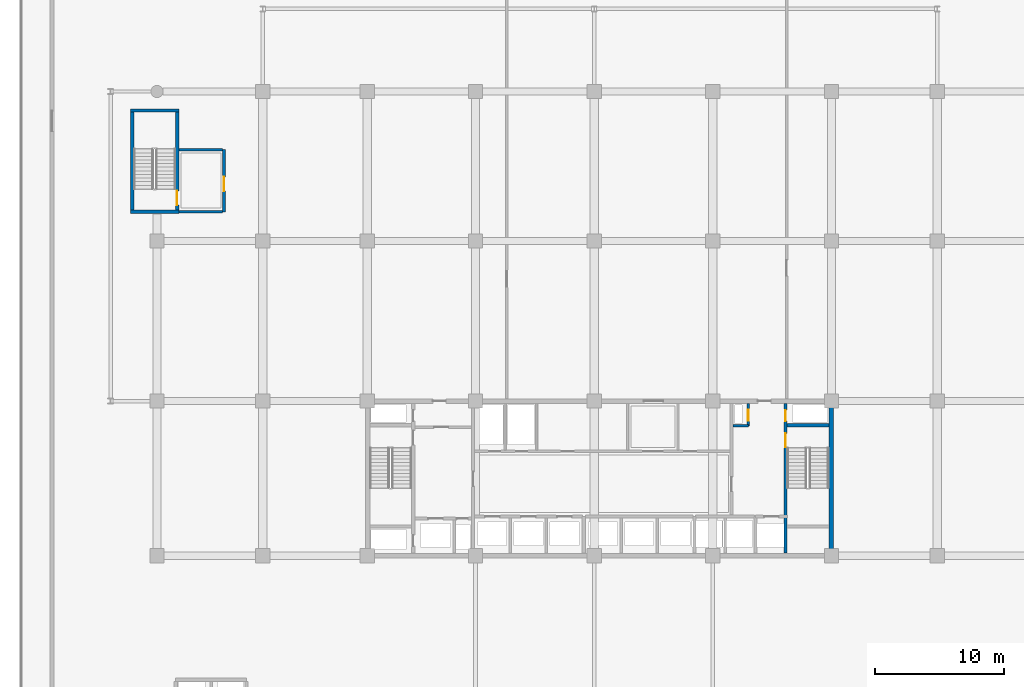
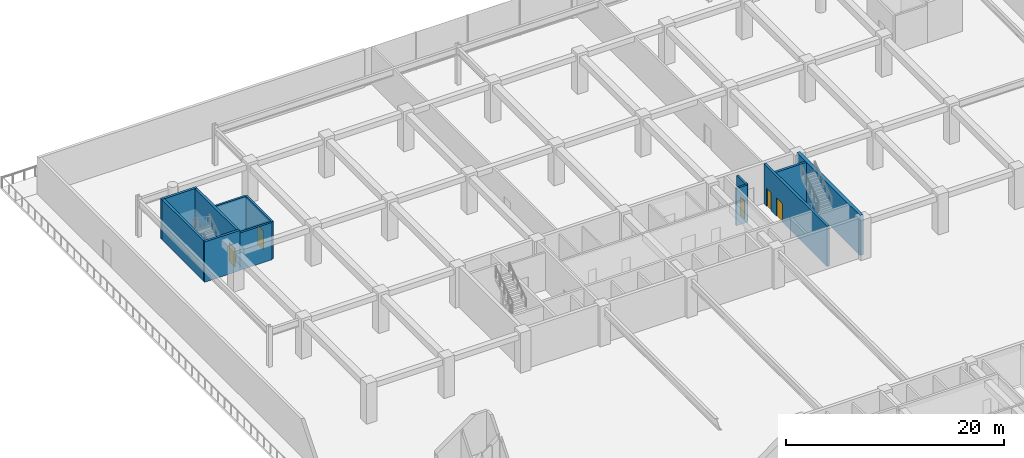
# One storey, part 26 of 40: 12 walls, 5 doors, 5 openings.
"""IFC4 building model written with IfcOpenShell, lengths in metres."""

from ifc_helpers import new_model, si_unit, direction, frame, frame_2d, origin, place, context, subcontext, project, spatial, rectangle, extrude, material, layer, layer_set, type_object, element, fill, save


model = new_model("IFC4")

# Units and contexts
model_context = context("Model", 3, precision=1e-05, world=origin(), true_north=direction((0.0, 1.0)))
body_context = subcontext(model_context, "Body", "Model", "MODEL_VIEW")
ifc_project = project(units=[si_unit("LENGTHUNIT", "METRE"), si_unit("AREAUNIT", "SQUARE_METRE"), si_unit("VOLUMEUNIT", "CUBIC_METRE"), si_unit("PLANEANGLEUNIT", "RADIAN"), si_unit("MASSUNIT", "GRAM", prefix="KILO")], contexts=[model_context])

# Site, building, storey
site_placement = place(None, origin())
site = spatial("IfcSite", under=ifc_project, at=site_placement, CompositionType="ELEMENT")
building_placement = place(site_placement, origin())
building = spatial("IfcBuilding", under=site, at=building_placement, Name="Korimba Cascade Residences", CompositionType="ELEMENT")
storey_placement = place(building_placement, frame((0.0, 0.0, 14.5)))
storey = spatial("IfcBuildingStorey", under=building, at=storey_placement, Name="L03", CompositionType="ELEMENT", Elevation=14.5)

# Walls
ifc_material_1 = material(Name="Concrete C65/80", Category="concrete")
ifc_layer_1 = layer(ifc_material_1, 0.35009765625)
ifc_layer_set_1 = layer_set([ifc_layer_1], Name="Concrete C65/80")
wall_type_1 = type_object("IfcWallType", Name="WAL-CORE-350", PredefinedType="SHEAR", material=ifc_layer_set_1)
wall_1_placement = place(storey_placement, frame((112.074951171875, 55.375, 0.0), z_axis=(0.0, 0.0, 1.0), x_axis=(0.0, 1.0, 0.0)))
element("IfcWall", 1, at=wall_1_placement, inside=storey, type_object=wall_type_1, Name="L03 Core Shear Wall CW-L03-T1-E", PredefinedType="SHEAR", context=body_context, shape_type="SweptSolid", body=[
    extrude(rectangle(XDim=11.64990234375, YDim=0.35009765625, at=frame_2d((5.824951171875, 0.0))), origin(), (0.0, 0.0, 1.0), 4.5),
])
ifc_material_2 = material(Name="Concrete C40/50", Category="concrete")
ifc_layer_2 = layer(ifc_material_2, 0.199951171875)
ifc_layer_set_2 = layer_set([ifc_layer_2], Name="Concrete C40/50")
wall_type_2 = type_object("IfcWallType", Name="WAL-PART-200", PredefinedType="PARTITIONING", material=ifc_layer_set_2)
wall_2_placement = place(storey_placement, frame((104.449951171875, 65.280029296875, 0.0), z_axis=(0.0, 0.0, 1.0), x_axis=(1.0, 0.0, 0.0)))
element("IfcWall", 2, at=wall_2_placement, inside=storey, type_object=wall_type_2, Name="L03 Partition Wall CW-L03-T1-HYDW2S", PredefinedType="PARTITIONING", context=body_context, shape_type="SweptSolid", body=[
    extrude(rectangle(XDim=1.199951171875, YDim=0.199951171875, at=frame_2d((0.60009765625, 0.0))), origin(), (0.0, 0.0, 1.0), 4.179931640625),
])

# Wall, opening, door
wall_3_placement = place(storey_placement, frame((105.64990234375, 65.280029296875, 0.0), z_axis=(0.0, 0.0, 1.0), x_axis=(0.0, 1.0, 0.0)))
wall_3 = element("IfcWall", 3, at=wall_3_placement, inside=storey, type_object=wall_type_2, Name="L03 Partition Wall CW-L03-T1-HYDW2E", PredefinedType="PARTITIONING", context=body_context, shape_type="SweptSolid", body=[
    extrude(rectangle(XDim=1.719970703125, YDim=0.199951171875, at=frame_2d((0.85986328125, 0.0))), origin(), (0.0, 0.0, 1.0), 4.179931640625),
])
opening_1_placement = place(wall_3_placement, frame((0.39990234375, 0.0, 0.0)))
opening_1 = element("IfcOpeningElement", 4, at=opening_1_placement, cuts=wall_3, Name="Opening D-RS1", PredefinedType="OPENING", context=body_context, shape_type="SweptSolid", body=[
    extrude(rectangle(XDim=0.85009765625, YDim=2.050048828125, at=frame_2d((0.425048828125, 1.02490234375))), frame((0.0, 0.10986328125, 0.0), z_axis=(0.0, -1.0, 0.0), x_axis=(1.0, 0.0, 0.0)), (0.0, 0.0, 1.0), 0.219970703125),
])
ifc_material_3 = material(Name="Fire-Rated Steel Riser Access Door", Category="steel")
door_type_1 = type_object("IfcDoorType", Name="DR-FD60-850", OperationType="NOTDEFINED", PredefinedType="DOOR", material=ifc_material_3)
door_1_placement = place(opening_1_placement, origin())
door_1 = element("IfcDoor", 5, at=door_1_placement, inside=storey, type_object=door_type_1, Name="L03 East Hydrant Door", OperationType="SINGLE_SWING_RIGHT", OverallHeight=2.050048828125, OverallWidth=0.85009765625, PredefinedType="DOOR", context=body_context, shape_type="SweptSolid", body=[
    extrude(rectangle(XDim=0.85009765625, YDim=2.050048828125, at=frame_2d((0.425048828125, 1.02490234375))), frame((0.0, 0.02490234375, 0.0), z_axis=(0.0, -1.0, 0.0), x_axis=(1.0, 0.0, 0.0)), (0.0, 0.0, 1.0), 0.050048828125),
])
fill(opening_1, door_1)

wall_4_placement = place(storey_placement, frame((65.0, 81.875, 0.0), z_axis=(0.0, 0.0, 1.0), x_axis=(0.0, 1.0, 0.0)))
wall_4 = element("IfcWall", 6, at=wall_4_placement, inside=storey, type_object=wall_type_2, Name="L03 Partition Wall CW-L03-PL5E", PredefinedType="PARTITIONING", context=body_context, shape_type="SweptSolid", body=[
    extrude(rectangle(XDim=4.824951171875, YDim=0.199951171875, at=frame_2d((2.41259765625, 0.0))), origin(), (0.0, 0.0, 1.0), 4.179931640625),
])
opening_2_placement = place(wall_4_placement, frame((1.60009765625, 0.0, 0.0)))
opening_2 = element("IfcOpeningElement", 7, at=opening_2_placement, cuts=wall_4, Name="Opening D-FD6", PredefinedType="OPENING", context=body_context, shape_type="SweptSolid", body=[
    extrude(rectangle(XDim=1.10009765625, YDim=2.14990234375, at=frame_2d((0.550048828125, 1.074951171875))), frame((0.0, 0.10986328125, 0.0), z_axis=(0.0, -1.0, 0.0), x_axis=(1.0, 0.0, 0.0)), (0.0, 0.0, 1.0), 0.219970703125),
])
ifc_material_4 = material(Name="Fire-Rated Timber Stair Lobby Door", Category="wood")
door_type_2 = type_object("IfcDoorType", Name="DR-FD90-1100", OperationType="NOTDEFINED", PredefinedType="DOOR", material=ifc_material_4)
door_2_placement = place(opening_2_placement, origin())
door_2 = element("IfcDoor", 8, at=door_2_placement, inside=storey, type_object=door_type_2, Name="L03 North-West Stair Vestibule Door", OperationType="SINGLE_SWING_RIGHT", OverallHeight=2.14990234375, OverallWidth=1.10009765625, PredefinedType="DOOR", context=body_context, shape_type="SweptSolid", body=[
    extrude(rectangle(XDim=1.10009765625, YDim=2.14990234375, at=frame_2d((0.550048828125, 1.074951171875))), frame((0.0, 0.02490234375, 0.0), z_axis=(0.0, -1.0, 0.0), x_axis=(1.0, 0.0, 0.0)), (0.0, 0.0, 1.0), 0.050048828125),
])
fill(opening_2, door_2)

# Walls
for number, where, z_axis, x_axis, name in (
    (9, (61.5, 81.875, 0.0), (0.0, 0.0, 1.0), (1.0, 0.0, 0.0), "L03 Partition Wall CW-L03-PL5S"),
    (10, (61.5, 86.699951171875, 0.0), (0.0, 0.0, 1.0), (1.0, 0.0, 0.0), "L03 Partition Wall CW-L03-PL5N"),
):
    element("IfcWall", number, at=place(storey_placement, frame(where, z_axis=z_axis, x_axis=x_axis)), inside=storey, type_object=wall_type_2, Name=name, PredefinedType="PARTITIONING", context=body_context, shape_type="SweptSolid", body=[
        extrude(rectangle(XDim=3.39990234375, YDim=0.199951171875, at=frame_2d((1.699951171875, 0.0))), origin(), (0.0, 0.0, 1.0), 4.179931640625),
    ])

# Wall, openings, doors
ifc_material_5 = material(Name="Concrete C50/60", Category="concrete")
ifc_layer_3 = layer(ifc_material_5, 0.25)
ifc_layer_set_3 = layer_set([ifc_layer_3], Name="Concrete C50/60")
wall_type_3 = type_object("IfcWallType", Name="WAL-SHAFT-250", PredefinedType="SHEAR", material=ifc_layer_set_3)
wall_5_placement = place(storey_placement, frame((108.534912109375, 55.39990234375, 0.0), z_axis=(0.0, 0.0, 1.0), x_axis=(0.0, 1.0, 0.0)))
wall_5 = element("IfcWall", 11, at=wall_5_placement, inside=storey, type_object=wall_type_3, Name="L03 Core Shear Wall CW-L03-T1-STW2W", PredefinedType="SHEAR", context=body_context, shape_type="SweptSolid", body=[
    extrude(rectangle(XDim=11.60009765625, YDim=0.25, at=frame_2d((5.800048828125, 0.0))), origin(), (0.0, 0.0, 1.0), 4.5),
])
opening_3_placement = place(wall_5_placement, frame((8.199951171875, 0.0, 0.0)))
opening_3 = element("IfcOpeningElement", 12, at=opening_3_placement, cuts=wall_5, Name="Opening D-FD1", PredefinedType="OPENING", context=body_context, shape_type="SweptSolid", body=[
    extrude(rectangle(XDim=1.10009765625, YDim=2.10009765625, at=frame_2d((0.550048828125, 1.050048828125))), frame((0.0, 0.135009765625, 0.0), z_axis=(0.0, -1.0, 0.0), x_axis=(1.0, 0.0, 0.0)), (0.0, 0.0, 1.0), 0.27001953125),
])
opening_4_placement = place(wall_5_placement, frame((10.25, 0.0, 0.0)))
opening_4 = element("IfcOpeningElement", 13, at=opening_4_placement, cuts=wall_5, Name="Opening D-RS1", PredefinedType="OPENING", context=body_context, shape_type="SweptSolid", body=[
    extrude(rectangle(XDim=0.85009765625, YDim=2.050048828125, at=frame_2d((0.425048828125, 1.02490234375))), frame((0.0, 0.135009765625, 0.0), z_axis=(0.0, -1.0, 0.0), x_axis=(1.0, 0.0, 0.0)), (0.0, 0.0, 1.0), 0.27001953125),
])
ifc_material_6 = material(Name="Fire-Rated Steel Core Door", Category="steel")
door_type_3 = type_object("IfcDoorType", Name="DR-FD120-1100", OperationType="NOTDEFINED", PredefinedType="DOOR", material=ifc_material_6)
door_3_placement = place(opening_3_placement, origin())
door_3 = element("IfcDoor", 14, at=door_3_placement, inside=storey, type_object=door_type_3, Name="L03 Fire Stair ST-W2 Door", OperationType="SINGLE_SWING_RIGHT", OverallHeight=2.10009765625, OverallWidth=1.10009765625, PredefinedType="DOOR", context=body_context, shape_type="SweptSolid", body=[
    extrude(rectangle(XDim=1.10009765625, YDim=2.10009765625, at=frame_2d((0.550048828125, 1.050048828125))), frame((0.0, 0.02490234375, 0.0), z_axis=(0.0, -1.0, 0.0), x_axis=(1.0, 0.0, 0.0)), (0.0, 0.0, 1.0), 0.050048828125),
])
fill(opening_3, door_3)
door_4_placement = place(opening_4_placement, origin())
door_4 = element("IfcDoor", 15, at=door_4_placement, inside=storey, type_object=door_type_1, Name="L03 East Riser Door", OperationType="SINGLE_SWING_LEFT", OverallHeight=2.050048828125, OverallWidth=0.85009765625, PredefinedType="DOOR", context=body_context, shape_type="SweptSolid", body=[
    extrude(rectangle(XDim=0.85009765625, YDim=2.050048828125, at=frame_2d((0.425048828125, 1.02490234375))), frame((0.0, 0.02490234375, 0.0), z_axis=(0.0, -1.0, 0.0), x_axis=(1.0, 0.0, 0.0)), (0.0, 0.0, 1.0), 0.050048828125),
])
fill(opening_4, door_4)

# Walls
wall_6_placement = place(storey_placement, frame((108.659912109375, 65.324951171875, 0.0), z_axis=(0.0, 0.0, 1.0), x_axis=(1.0, 0.0, 0.0)))
element("IfcWall", 16, at=wall_6_placement, inside=storey, type_object=wall_type_3, Name="L03 Core Shear Wall CW-L03-T1-STW2N", PredefinedType="SHEAR", context=body_context, shape_type="SweptSolid", body=[
    extrude(rectangle(XDim=3.239990234375, YDim=0.25, at=frame_2d((1.6201171875, 0.0))), origin(), (0.0, 0.0, 1.0), 4.5),
])
wall_7_placement = place(storey_placement, frame((57.875, 82.0, 0.0), z_axis=(0.0, 0.0, 1.0), x_axis=(0.0, 1.0, 0.0)))
element("IfcWall", 17, at=wall_7_placement, inside=storey, type_object=wall_type_3, Name="L03 Core Shear Wall CW-L03-STP5W", PredefinedType="SHEAR", context=body_context, shape_type="SweptSolid", body=[
    extrude(rectangle(XDim=7.60009765625, YDim=0.25, at=frame_2d((3.800048828125, 0.0))), origin(), (0.0, 0.0, 1.0), 4.5),
])
for number, where, z_axis, x_axis, name in (
    (18, (57.75, 81.875, 0.0), (0.0, 0.0, 1.0), (1.0, 0.0, 0.0), "L03 Core Shear Wall CW-L03-STP5S"),
    (19, (57.75, 89.72509765625, 0.0), (0.0, 0.0, 1.0), (1.0, 0.0, 0.0), "L03 Core Shear Wall CW-L03-STP5N"),
):
    element("IfcWall", number, at=place(storey_placement, frame(where, z_axis=z_axis, x_axis=x_axis)), inside=storey, type_object=wall_type_3, Name=name, PredefinedType="SHEAR", context=body_context, shape_type="SweptSolid", body=[
        extrude(rectangle(XDim=3.739990234375, YDim=0.25, at=frame_2d((1.8701171875, 0.0))), origin(), (0.0, 0.0, 1.0), 4.5),
    ])

# Wall, opening, door
wall_8_placement = place(storey_placement, frame((61.364990234375, 82.0, 0.0), z_axis=(0.0, 0.0, 1.0), x_axis=(0.0, 1.0, 0.0)))
wall_8 = element("IfcWall", 20, at=wall_8_placement, inside=storey, type_object=wall_type_3, Name="L03 Core Shear Wall CW-L03-STP5E", PredefinedType="SHEAR", context=body_context, shape_type="SweptSolid", body=[
    extrude(rectangle(XDim=7.60009765625, YDim=0.25, at=frame_2d((3.800048828125, 0.0))), origin(), (0.0, 0.0, 1.0), 4.5),
])
opening_5_placement = place(wall_8_placement, frame((0.39990234375, 0.0, 0.0)))
opening_5 = element("IfcOpeningElement", 21, at=opening_5_placement, cuts=wall_8, Name="Opening D-FD1", PredefinedType="OPENING", context=body_context, shape_type="SweptSolid", body=[
    extrude(rectangle(XDim=1.10009765625, YDim=2.10009765625, at=frame_2d((0.550048828125, 1.050048828125))), frame((0.0, 0.135009765625, 0.0), z_axis=(0.0, -1.0, 0.0), x_axis=(1.0, 0.0, 0.0)), (0.0, 0.0, 1.0), 0.27001953125),
])
door_5_placement = place(opening_5_placement, origin())
door_5 = element("IfcDoor", 22, at=door_5_placement, inside=storey, type_object=door_type_3, Name="L03 Podium Stair ST-P5 Door", OperationType="SINGLE_SWING_LEFT", OverallHeight=2.10009765625, OverallWidth=1.10009765625, PredefinedType="DOOR", context=body_context, shape_type="SweptSolid", body=[
    extrude(rectangle(XDim=1.10009765625, YDim=2.10009765625, at=frame_2d((0.550048828125, 1.050048828125))), frame((0.0, 0.02490234375, 0.0), z_axis=(0.0, -1.0, 0.0), x_axis=(1.0, 0.0, 0.0)), (0.0, 0.0, 1.0), 0.050048828125),
])
fill(opening_5, door_5)

save(model, "model.ifc")
